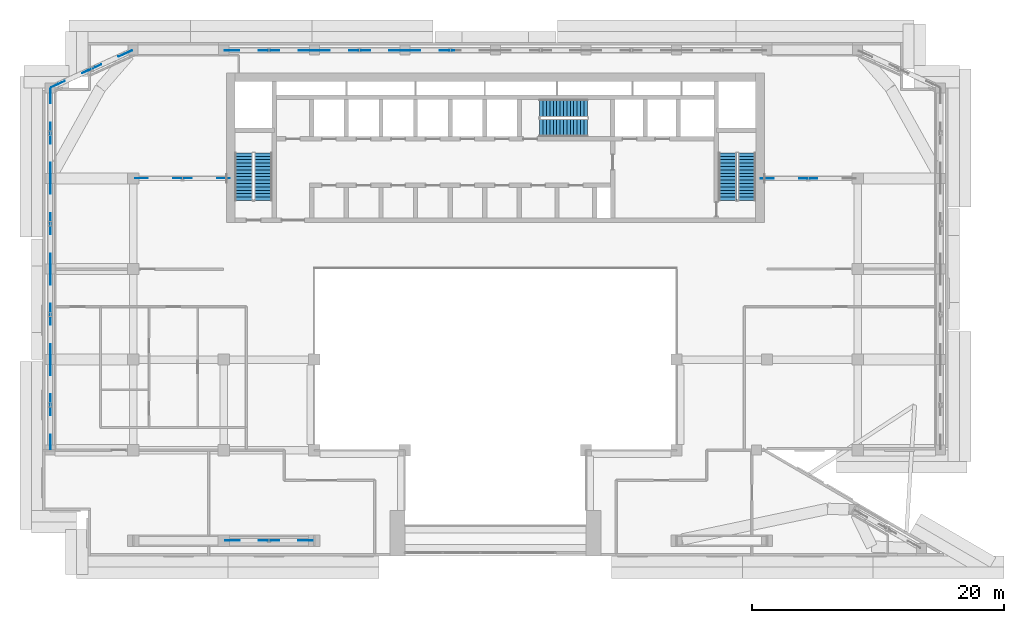
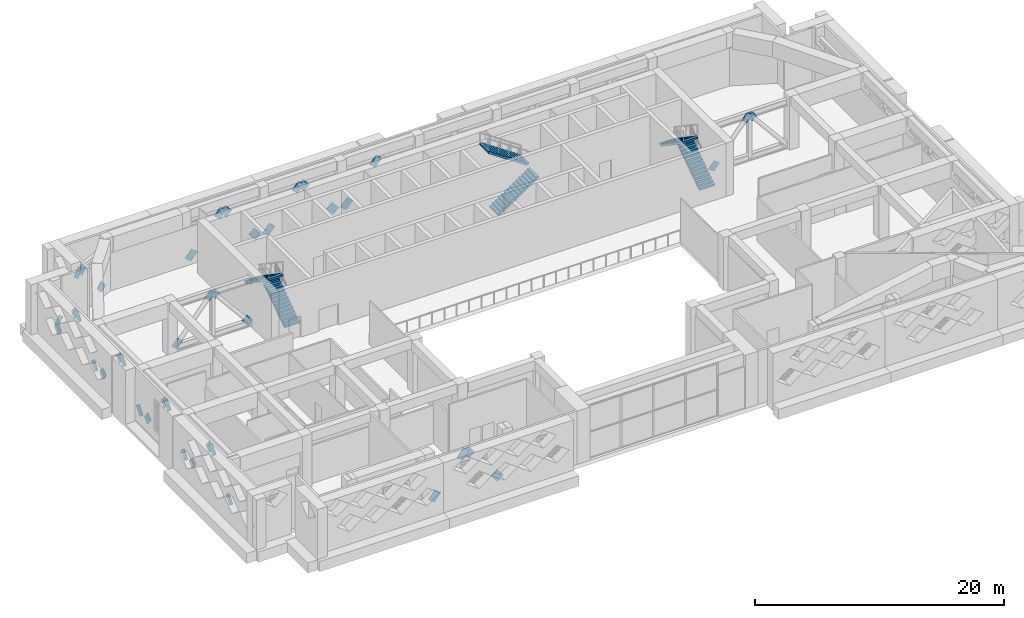
# One storey, part 11 of 20: 41 discrete accessories, 6 stair flights, 3 elements without a shape of their own.
"""IFC4 building model written with IfcOpenShell, lengths in metres."""

from ifc_helpers import new_model, si_unit, direction, frame, origin, place, context, subcontext, project, spatial, polyline, outline, extrude, material, layer, layer_set, type_object, element, aggregate, save


model = new_model("IFC4")

# Units and contexts
model_context = context("Model", 3, precision=1e-05, world=origin(), true_north=direction((0.0, 1.0)))
body_context = subcontext(model_context, "Body", "Model", "MODEL_VIEW")
ifc_project = project(units=[si_unit("LENGTHUNIT", "METRE"), si_unit("AREAUNIT", "SQUARE_METRE"), si_unit("VOLUMEUNIT", "CUBIC_METRE"), si_unit("PLANEANGLEUNIT", "RADIAN"), si_unit("MASSUNIT", "GRAM", prefix="KILO")], contexts=[model_context])

# Site, building, storey
site_placement = place(None, origin())
site = spatial("IfcSite", under=ifc_project, at=site_placement, CompositionType="ELEMENT")
building_placement = place(site_placement, origin())
building = spatial("IfcBuilding", under=site, at=building_placement, Name="Saffron Iwan Residences", CompositionType="ELEMENT")
storey_placement = place(building_placement, frame((0.0, 0.0, 206.0)))
storey = spatial("IfcBuildingStorey", under=building, at=storey_placement, Name="L55", CompositionType="ELEMENT", Elevation=206.0)

# Stair, stair flights
ifc_material = material(Name="Concrete C50/60", Category="concrete")
stair_type = type_object("IfcStairType", Name="Stair ST-CORE", PredefinedType="HALF_TURN_STAIR", material=ifc_material)
stair_1_placement = place(storey_placement, origin())
stair_1 = element("IfcStair", 1, at=stair_1_placement, inside=storey, type_object=stair_type, Name="L55 Exit Stair ST-W", PredefinedType="HALF_TURN_STAIR")
ifc_layer = layer(ifc_material, 0.14990234375)
ifc_layer_set = layer_set([ifc_layer], Name="Concrete C50/60")
stair_flight_type = type_object("IfcStairFlightType", Name="Stair flight SFL-RC", PredefinedType="STRAIGHT", material=ifc_layer_set)
stair_flight_1_placement = place(storey_placement, frame((31.949951171875, 67.85009765625, 0.0), z_axis=(0.0, 0.0, 1.0), x_axis=(0.0, 1.0, 0.0)))
stair_flight_1 = element("IfcStairFlight", 2, at=stair_flight_1_placement, type_object=stair_flight_type, Name="ST-W flight 1", NumberOfRisers=15, NumberOfTreads=14, PredefinedType="STRAIGHT", RiserHeight=0.183333333, TreadLength=0.27, context=body_context, shape_type="SweptSolid", body=[
    extrude(outline(polyline([(0.0, 0.0), (0.0, 0.183349609375), (0.27001953125, 0.183349609375), (0.27001953125, 0.36669921875), (0.5400390625, 0.36669921875), (0.5400390625, 0.550048828125), (0.81005859375, 0.550048828125), (0.81005859375, 0.7333984375), (1.080078125, 0.7333984375), (1.080078125, 0.916748046875), (1.35009765625, 0.916748046875), (1.35009765625, 1.10009765625), (1.6201171875, 1.10009765625), (1.6201171875, 1.283447265625), (1.889892578125, 1.283447265625), (1.889892578125, 1.466552734375), (2.159912109375, 1.466552734375), (2.159912109375, 1.64990234375), (2.429931640625, 1.64990234375), (2.429931640625, 1.833251953125), (2.699951171875, 1.833251953125), (2.699951171875, 2.0166015625), (2.969970703125, 2.0166015625), (2.969970703125, 2.199951171875), (3.239990234375, 2.199951171875), (3.239990234375, 2.38330078125), (3.510009765625, 2.38330078125), (3.510009765625, 2.566650390625), (3.780029296875, 2.566650390625), (3.780029296875, 2.75), (3.780029296875, 2.385498046875), (0.266845703125, 0.0), (0.0, 0.0)])), frame((0.0, 0.699951171875, 0.0), z_axis=(0.0, -1.0, 0.0), x_axis=(1.0, 0.0, 0.0)), (0.0, 0.0, 1.0), 1.39990234375),
])
stair_flight_2_placement = place(storey_placement, frame((30.39990234375, 71.6298828125, 2.75), z_axis=(0.0, 0.0, 1.0), x_axis=(0.0, -1.0, 0.0)))
stair_flight_2 = element("IfcStairFlight", 3, at=stair_flight_2_placement, type_object=stair_flight_type, Name="ST-W flight 2", NumberOfRisers=15, NumberOfTreads=14, PredefinedType="STRAIGHT", RiserHeight=0.183333333, TreadLength=0.27, context=body_context, shape_type="SweptSolid", body=[
    extrude(outline(polyline([(0.0, 0.0), (0.0, 0.183349609375), (0.27001953125, 0.183349609375), (0.27001953125, 0.36669921875), (0.5400390625, 0.36669921875), (0.5400390625, 0.550048828125), (0.81005859375, 0.550048828125), (0.81005859375, 0.7333984375), (1.080078125, 0.7333984375), (1.080078125, 0.916748046875), (1.35009765625, 0.916748046875), (1.35009765625, 1.10009765625), (1.6201171875, 1.10009765625), (1.6201171875, 1.283447265625), (1.889892578125, 1.283447265625), (1.889892578125, 1.466552734375), (2.159912109375, 1.466552734375), (2.159912109375, 1.64990234375), (2.429931640625, 1.64990234375), (2.429931640625, 1.833251953125), (2.699951171875, 1.833251953125), (2.699951171875, 2.0166015625), (2.969970703125, 2.0166015625), (2.969970703125, 2.199951171875), (3.239990234375, 2.199951171875), (3.239990234375, 2.38330078125), (3.510009765625, 2.38330078125), (3.510009765625, 2.566650390625), (3.780029296875, 2.566650390625), (3.780029296875, 2.75), (3.780029296875, 2.385498046875), (0.266845703125, 0.0), (0.0, 0.0)])), frame((0.0, 0.699951171875, 0.0), z_axis=(0.0, -1.0, 0.0), x_axis=(1.0, 0.0, 0.0)), (0.0, 0.0, 1.0), 1.39990234375),
])
aggregate(stair_1, [stair_flight_1, stair_flight_2])

stair_2_placement = place(storey_placement, origin())
stair_2 = element("IfcStair", 4, at=stair_2_placement, inside=storey, type_object=stair_type, Name="L55 Exit Stair ST-C", PredefinedType="HALF_TURN_STAIR")
stair_flight_3_placement = place(storey_placement, frame((53.925048828125, 73.625, 0.0), z_axis=(0.0, 0.0, 1.0), x_axis=(1.0, 0.0, 0.0)))
stair_flight_3 = element("IfcStairFlight", 5, at=stair_flight_3_placement, type_object=stair_flight_type, Name="ST-C flight 1", NumberOfRisers=15, NumberOfTreads=14, PredefinedType="STRAIGHT", RiserHeight=0.183333333, TreadLength=0.27, context=body_context, shape_type="SweptSolid", body=[
    extrude(outline(polyline([(0.0, 0.0), (0.0, 0.183349609375), (0.27001953125, 0.183349609375), (0.27001953125, 0.36669921875), (0.5400390625, 0.36669921875), (0.5400390625, 0.550048828125), (0.81005859375, 0.550048828125), (0.81005859375, 0.7333984375), (1.080078125, 0.7333984375), (1.080078125, 0.916748046875), (1.35009765625, 0.916748046875), (1.35009765625, 1.10009765625), (1.6201171875, 1.10009765625), (1.6201171875, 1.283447265625), (1.889892578125, 1.283447265625), (1.889892578125, 1.466552734375), (2.159912109375, 1.466552734375), (2.159912109375, 1.64990234375), (2.429931640625, 1.64990234375), (2.429931640625, 1.833251953125), (2.699951171875, 1.833251953125), (2.699951171875, 2.0166015625), (2.969970703125, 2.0166015625), (2.969970703125, 2.199951171875), (3.239990234375, 2.199951171875), (3.239990234375, 2.38330078125), (3.510009765625, 2.38330078125), (3.510009765625, 2.566650390625), (3.780029296875, 2.566650390625), (3.780029296875, 2.75), (3.780029296875, 2.385498046875), (0.266845703125, 0.0), (0.0, 0.0)])), frame((0.0, 0.699951171875, 0.0), z_axis=(0.0, -1.0, 0.0), x_axis=(1.0, 0.0, 0.0)), (0.0, 0.0, 1.0), 1.39990234375),
])
stair_flight_4_placement = place(storey_placement, frame((57.705078125, 75.175048828125, 2.75), z_axis=(0.0, 0.0, 1.0), x_axis=(-1.0, 0.0, 0.0)))
stair_flight_4 = element("IfcStairFlight", 6, at=stair_flight_4_placement, type_object=stair_flight_type, Name="ST-C flight 2", NumberOfRisers=15, NumberOfTreads=14, PredefinedType="STRAIGHT", RiserHeight=0.183333333, TreadLength=0.27, context=body_context, shape_type="SweptSolid", body=[
    extrude(outline(polyline([(0.0, 0.0), (0.0, 0.183349609375), (0.27001953125, 0.183349609375), (0.27001953125, 0.36669921875), (0.5400390625, 0.36669921875), (0.5400390625, 0.550048828125), (0.81005859375, 0.550048828125), (0.81005859375, 0.7333984375), (1.080078125, 0.7333984375), (1.080078125, 0.916748046875), (1.35009765625, 0.916748046875), (1.35009765625, 1.10009765625), (1.6201171875, 1.10009765625), (1.6201171875, 1.283447265625), (1.889892578125, 1.283447265625), (1.889892578125, 1.466552734375), (2.159912109375, 1.466552734375), (2.159912109375, 1.64990234375), (2.429931640625, 1.64990234375), (2.429931640625, 1.833251953125), (2.699951171875, 1.833251953125), (2.699951171875, 2.0166015625), (2.969970703125, 2.0166015625), (2.969970703125, 2.199951171875), (3.239990234375, 2.199951171875), (3.239990234375, 2.38330078125), (3.510009765625, 2.38330078125), (3.510009765625, 2.566650390625), (3.780029296875, 2.566650390625), (3.780029296875, 2.75), (3.780029296875, 2.385498046875), (0.266845703125, 0.0), (0.0, 0.0)])), frame((0.0, 0.699951171875, 0.0), z_axis=(0.0, -1.0, 0.0), x_axis=(1.0, 0.0, 0.0)), (0.0, 0.0, 1.0), 1.39990234375),
])
aggregate(stair_2, [stair_flight_3, stair_flight_4])

stair_3_placement = place(storey_placement, origin())
stair_3 = element("IfcStair", 7, at=stair_3_placement, inside=storey, type_object=stair_type, Name="L55 Exit Stair ST-E", PredefinedType="HALF_TURN_STAIR")
stair_flight_5_placement = place(storey_placement, frame((70.39990234375, 67.85009765625, 0.0), z_axis=(0.0, 0.0, 1.0), x_axis=(0.0, 1.0, 0.0)))
stair_flight_5 = element("IfcStairFlight", 8, at=stair_flight_5_placement, type_object=stair_flight_type, Name="ST-E flight 1", NumberOfRisers=15, NumberOfTreads=14, PredefinedType="STRAIGHT", RiserHeight=0.183333333, TreadLength=0.27, context=body_context, shape_type="SweptSolid", body=[
    extrude(outline(polyline([(0.0, 0.0), (0.0, 0.183349609375), (0.27001953125, 0.183349609375), (0.27001953125, 0.36669921875), (0.5400390625, 0.36669921875), (0.5400390625, 0.550048828125), (0.81005859375, 0.550048828125), (0.81005859375, 0.7333984375), (1.080078125, 0.7333984375), (1.080078125, 0.916748046875), (1.35009765625, 0.916748046875), (1.35009765625, 1.10009765625), (1.6201171875, 1.10009765625), (1.6201171875, 1.283447265625), (1.889892578125, 1.283447265625), (1.889892578125, 1.466552734375), (2.159912109375, 1.466552734375), (2.159912109375, 1.64990234375), (2.429931640625, 1.64990234375), (2.429931640625, 1.833251953125), (2.699951171875, 1.833251953125), (2.699951171875, 2.0166015625), (2.969970703125, 2.0166015625), (2.969970703125, 2.199951171875), (3.239990234375, 2.199951171875), (3.239990234375, 2.38330078125), (3.510009765625, 2.38330078125), (3.510009765625, 2.566650390625), (3.780029296875, 2.566650390625), (3.780029296875, 2.75), (3.780029296875, 2.385498046875), (0.266845703125, 0.0), (0.0, 0.0)])), frame((0.0, 0.699951171875, 0.0), z_axis=(0.0, -1.0, 0.0), x_axis=(1.0, 0.0, 0.0)), (0.0, 0.0, 1.0), 1.39990234375),
])
stair_flight_6_placement = place(storey_placement, frame((68.85009765625, 71.6298828125, 2.75), z_axis=(0.0, 0.0, 1.0), x_axis=(0.0, -1.0, 0.0)))
stair_flight_6 = element("IfcStairFlight", 9, at=stair_flight_6_placement, type_object=stair_flight_type, Name="ST-E flight 2", NumberOfRisers=15, NumberOfTreads=14, PredefinedType="STRAIGHT", RiserHeight=0.183333333, TreadLength=0.27, context=body_context, shape_type="SweptSolid", body=[
    extrude(outline(polyline([(0.0, 0.0), (0.0, 0.183349609375), (0.27001953125, 0.183349609375), (0.27001953125, 0.36669921875), (0.5400390625, 0.36669921875), (0.5400390625, 0.550048828125), (0.81005859375, 0.550048828125), (0.81005859375, 0.7333984375), (1.080078125, 0.7333984375), (1.080078125, 0.916748046875), (1.35009765625, 0.916748046875), (1.35009765625, 1.10009765625), (1.6201171875, 1.10009765625), (1.6201171875, 1.283447265625), (1.889892578125, 1.283447265625), (1.889892578125, 1.466552734375), (2.159912109375, 1.466552734375), (2.159912109375, 1.64990234375), (2.429931640625, 1.64990234375), (2.429931640625, 1.833251953125), (2.699951171875, 1.833251953125), (2.699951171875, 2.0166015625), (2.969970703125, 2.0166015625), (2.969970703125, 2.199951171875), (3.239990234375, 2.199951171875), (3.239990234375, 2.38330078125), (3.510009765625, 2.38330078125), (3.510009765625, 2.566650390625), (3.780029296875, 2.566650390625), (3.780029296875, 2.75), (3.780029296875, 2.385498046875), (0.266845703125, 0.0), (0.0, 0.0)])), frame((0.0, 0.699951171875, 0.0), z_axis=(0.0, -1.0, 0.0), x_axis=(1.0, 0.0, 0.0)), (0.0, 0.0, 1.0), 1.39990234375),
])
aggregate(stair_3, [stair_flight_5, stair_flight_6])

# Discrete accessories
discrete_accessory_1_placement = place(storey_placement, frame((15.0, 48.06298828125, 0.420654296875), z_axis=(-1.0, 0.0, 0.0), x_axis=(0.0, 0.644527288822, 0.764581306313)))
element("IfcDiscreteAccessory", 10, at=discrete_accessory_1_placement, inside=storey, Name="Gusset plate L55", PredefinedType="BRACKET", context=body_context, shape_type="SweptSolid", body=[
    extrude(outline(polyline([(0.0, 0.0), (0.9598543839484248, -5.551115123125783e-17), (0.9600263942749794, 0.7199054429927506), (-0.0001720103265546169, 0.7198761329298864), (0.0, 0.0)])), origin(), (0.0, 0.0, -1.0), 0.030029296875),
])
discrete_accessory_2_placement = place(storey_placement, frame((15.0, 51.93701171875, 3.8994140625), z_axis=(-1.0, 0.0, 0.0), x_axis=(0.0, -0.644401961653, -0.764686937131)))
element("IfcDiscreteAccessory", 11, at=discrete_accessory_2_placement, inside=storey, Name="Gusset plate L55", PredefinedType="BRACKET", context=body_context, shape_type="SweptSolid", body=[
    extrude(outline(polyline([(0.0, 0.0), (0.960041062202052, 5.551115123125783e-17), (0.9599083854542545, 0.7200627862136834), (-0.0001033102987061385, 0.7197187703692539), (0.0, 0.0)])), origin(), (0.0, 0.0, -1.0), 0.030029296875),
])
discrete_accessory_3_placement = place(storey_placement, frame((15.0, 51.8134765625, 4.36328125), z_axis=(-1.0, 0.0, 0.0), x_axis=(0.0, 0.644527288822, -0.764581306313)))
element("IfcDiscreteAccessory", 12, at=discrete_accessory_3_placement, inside=storey, Name="Gusset plate L55", PredefinedType="BRACKET", context=body_context, shape_type="SweptSolid", body=[
    extrude(outline(polyline([(0.0, 0.0), (0.9598543839484248, 5.551115123125783e-17), (0.9598690389798568, 0.7200627982878732), (-0.0001720103265546169, 0.7199054429927506), (0.0, 0.0)])), origin(), (0.0, 0.0, -1.0), 0.030029296875),
])
discrete_accessory_4_placement = place(storey_placement, frame((15.0, 54.586669921875, -0.04345703125), z_axis=(-1.0, 0.0, 0.0), x_axis=(0.0, -0.644401961653, 0.764686937131)))
element("IfcDiscreteAccessory", 13, at=discrete_accessory_4_placement, inside=storey, Name="Gusset plate L55", PredefinedType="BRACKET", context=body_context, shape_type="SweptSolid", body=[
    extrude(outline(polyline([(0.0, 0.0), (0.960041062202052, -5.551115123125783e-17), (0.9601443725007581, 0.7197187703692538), (0.00013267674779748884, 0.7200627862136835), (0.0, 0.0)])), origin(), (0.0, 0.0, -1.0), 0.030029296875),
])
discrete_accessory_5_placement = place(storey_placement, frame((15.0, 55.262939453125, 0.420654296875), z_axis=(-1.0, 0.0, 0.0), x_axis=(0.0, 0.644527288822, 0.764581306313)))
element("IfcDiscreteAccessory", 14, at=discrete_accessory_5_placement, inside=storey, Name="Gusset plate L55", PredefinedType="BRACKET", context=body_context, shape_type="SweptSolid", body=[
    extrude(outline(polyline([(0.0, 0.0), (0.9598543839484248, -5.551115123125783e-17), (0.9600263942749794, 0.7199054429927506), (-1.4655031432053711e-05, 0.7200627982878731), (0.0, 0.0)])), origin(), (0.0, 0.0, -1.0), 0.030029296875),
])
discrete_accessory_6_placement = place(storey_placement, frame((15.0, 59.13720703125, 3.8994140625), z_axis=(-1.0, 0.0, 0.0), x_axis=(0.0, -0.644550627371, -0.764561631757)))
element("IfcDiscreteAccessory", 15, at=discrete_accessory_6_placement, inside=storey, Name="Gusset plate L55", PredefinedType="BRACKET", context=body_context, shape_type="SweptSolid", body=[
    extrude(outline(polyline([(0.0, 0.0), (0.9601984050488788, 0.0), (0.9600483689462727, 0.7198761378451211), (0.000193985445032685, 0.7199054374067388), (0.0, 0.0)])), origin(), (0.0, 0.0, -1.0), 0.030029296875),
])
discrete_accessory_7_placement = place(storey_placement, frame((15.0, 59.013427734375, 4.36328125), z_axis=(-1.0, 0.0, 0.0), x_axis=(0.0, 0.644527288822, -0.764581306313)))
element("IfcDiscreteAccessory", 16, at=discrete_accessory_7_placement, inside=storey, Name="Gusset plate L55", PredefinedType="BRACKET", context=body_context, shape_type="SweptSolid", body=[
    extrude(outline(polyline([(0.0, 0.0), (0.9598543839484248, 5.551115123125783e-17), (0.9598690389798568, 0.7200627982878732), (-0.0001720103265546169, 0.7199054429927506), (0.0, 0.0)])), origin(), (0.0, 0.0, -1.0), 0.030029296875),
])
discrete_accessory_8_placement = place(storey_placement, frame((15.0, 61.78662109375, -0.04345703125), z_axis=(-1.0, 0.0, 0.0), x_axis=(0.0, -0.644401961653, 0.764686937131)))
element("IfcDiscreteAccessory", 17, at=discrete_accessory_8_placement, inside=storey, Name="Gusset plate L55", PredefinedType="BRACKET", context=body_context, shape_type="SweptSolid", body=[
    extrude(outline(polyline([(0.0, 0.0), (0.960041062202052, -5.551115123125783e-17), (0.9599870478030891, 0.7199054615160142), (0.00013267674779748884, 0.7200627862136835), (0.0, 0.0)])), origin(), (0.0, 0.0, -1.0), 0.030029296875),
])
discrete_accessory_9_placement = place(storey_placement, frame((15.0, 62.462890625, 0.420654296875), z_axis=(-1.0, 0.0, 0.0), x_axis=(0.0, 0.644527288822, 0.764581306313)))
element("IfcDiscreteAccessory", 18, at=discrete_accessory_9_placement, inside=storey, Name="Gusset plate L55", PredefinedType="BRACKET", context=body_context, shape_type="SweptSolid", body=[
    extrude(outline(polyline([(0.0, 0.0), (0.9598543839484248, -5.551115123125783e-17), (0.9600263942749794, 0.7199054429927506), (-1.4655031432053711e-05, 0.7200627982878731), (0.0, 0.0)])), origin(), (0.0, 0.0, -1.0), 0.030029296875),
])
discrete_accessory_10_placement = place(storey_placement, frame((15.0, 66.337158203125, 3.8994140625), z_axis=(-1.0, 0.0, 0.0), x_axis=(0.0, -0.644401961653, -0.764686937131)))
element("IfcDiscreteAccessory", 19, at=discrete_accessory_10_placement, inside=storey, Name="Gusset plate L55", PredefinedType="BRACKET", context=body_context, shape_type="SweptSolid", body=[
    extrude(outline(polyline([(0.0, 0.0), (0.960041062202052, 5.551115123125783e-17), (0.9599083854542545, 0.7200627862136834), (5.401439896290938e-05, 0.7199054615160143), (0.0, 0.0)])), origin(), (0.0, 0.0, -1.0), 0.030029296875),
])
discrete_accessory_11_placement = place(storey_placement, frame((15.0, 66.21337890625, 4.36328125), z_axis=(-1.0, 0.0, 0.0), x_axis=(0.0, 0.644527288822, -0.764581306313)))
element("IfcDiscreteAccessory", 20, at=discrete_accessory_11_placement, inside=storey, Name="Gusset plate L55", PredefinedType="BRACKET", context=body_context, shape_type="SweptSolid", body=[
    extrude(outline(polyline([(0.0, 0.0), (0.9598543839484248, 5.551115123125783e-17), (0.9598690389798568, 0.7200627982878732), (-0.0001720103265546169, 0.7199054429927506), (0.0, 0.0)])), origin(), (0.0, 0.0, -1.0), 0.030029296875),
])
discrete_accessory_12_placement = place(storey_placement, frame((15.0, 68.986572265625, -0.04345703125), z_axis=(-1.0, 0.0, 0.0), x_axis=(0.0, -0.644401961653, 0.764686937131)))
element("IfcDiscreteAccessory", 21, at=discrete_accessory_12_placement, inside=storey, Name="Gusset plate L55", PredefinedType="BRACKET", context=body_context, shape_type="SweptSolid", body=[
    extrude(outline(polyline([(0.0, 0.0), (0.960041062202052, -5.551115123125783e-17), (0.9599870478030891, 0.7199054615160142), (0.00013267674779748884, 0.7200627862136835), (0.0, 0.0)])), origin(), (0.0, 0.0, -1.0), 0.030029296875),
])
discrete_accessory_13_placement = place(storey_placement, frame((15.0, 69.662841796875, 0.420654296875), z_axis=(-1.0, 0.0, 0.0), x_axis=(0.0, 0.644527288822, 0.764581306313)))
element("IfcDiscreteAccessory", 22, at=discrete_accessory_13_placement, inside=storey, Name="Gusset plate L55", PredefinedType="BRACKET", context=body_context, shape_type="SweptSolid", body=[
    extrude(outline(polyline([(0.0, 0.0), (0.9598543839484248, -5.551115123125783e-17), (0.9600263942749794, 0.7199054429927506), (-1.4655031432053711e-05, 0.7200627982878731), (0.0, 0.0)])), origin(), (0.0, 0.0, -1.0), 0.030029296875),
])
discrete_accessory_14_placement = place(storey_placement, frame((15.0, 73.537109375, 3.8994140625), z_axis=(-1.0, 0.0, 0.0), x_axis=(0.0, -0.644401961653, -0.764686937131)))
element("IfcDiscreteAccessory", 23, at=discrete_accessory_14_placement, inside=storey, Name="Gusset plate L55", PredefinedType="BRACKET", context=body_context, shape_type="SweptSolid", body=[
    extrude(outline(polyline([(0.0, 0.0), (0.960041062202052, 5.551115123125783e-17), (0.9599083854542545, 0.7200627862136834), (5.401439896290938e-05, 0.7199054615160143), (0.0, 0.0)])), origin(), (0.0, 0.0, -1.0), 0.030029296875),
])
discrete_accessory_15_placement = place(storey_placement, frame((15.0, 73.413330078125, 4.36328125), z_axis=(-1.0, 0.0, 0.0), x_axis=(0.0, 0.644527288822, -0.764581306313)))
element("IfcDiscreteAccessory", 24, at=discrete_accessory_15_placement, inside=storey, Name="Gusset plate L55", PredefinedType="BRACKET", context=body_context, shape_type="SweptSolid", body=[
    extrude(outline(polyline([(0.0, 0.0), (0.9598543839484248, 5.551115123125783e-17), (0.9600263942749793, 0.7198761329298865), (-0.0001720103265546169, 0.7199054429927506), (0.0, 0.0)])), origin(), (0.0, 0.0, -1.0), 0.030029296875),
])
discrete_accessory_16_placement = place(storey_placement, frame((15.0, 76.1865234375, -0.04345703125), z_axis=(-1.0, 0.0, 0.0), x_axis=(0.0, -0.644401961653, 0.764686937131)))
element("IfcDiscreteAccessory", 25, at=discrete_accessory_16_placement, inside=storey, Name="Gusset plate L55", PredefinedType="BRACKET", context=body_context, shape_type="SweptSolid", body=[
    extrude(outline(polyline([(0.0, 0.0), (0.960041062202052, -5.551115123125783e-17), (0.9599870478030891, 0.7199054615160142), (0.00013267674779748884, 0.7200627862136835), (0.0, 0.0)])), origin(), (0.0, 0.0, -1.0), 0.030029296875),
])
for number, where, z_axis, x_axis, name in (
    (26, (15.0927734375, 76.842041015625, 0.419921875), (0.413815260912, -0.91036087876, 1.6123447e-05), (0.585193887051, 0.266020341528, 0.766016509255), "Gusset plate L55"),
    (27, (18.607177734375, 78.439697265625, 3.900146484375), (0.413815260912, -0.91036087876, 1.6123447e-05), (-0.585193887051, -0.266020341528, -0.766016509255), "Gusset plate L55"),
):
    element("IfcDiscreteAccessory", number, at=place(storey_placement, frame(where, z_axis=z_axis, x_axis=x_axis)), inside=storey, Name=name, PredefinedType="BRACKET", context=body_context, shape_type="SweptSolid", body=[
        extrude(outline(polyline([(0.0, 0.0), (0.9599682952195299, 0.0), (0.9599940626617518, -0.720123388197413), (2.5767442221824588e-05, -0.7201233881974131), (0.0, 0.0)])), origin(), (0.0, 0.0, -1.0), 0.030029296875),
    ])
for number, where, z_axis, x_axis, name in (
    (28, (18.494873046875, 78.388671875, 4.363037109375), (0.413737712905, -0.910396123061, 6.352282e-05), (0.585185566903, 0.265889395971, -0.766068326847), "Gusset plate L55"),
    (29, (21.005126953125, 79.529541015625, -0.04296875), (0.413737712905, -0.910396123061, 6.352282e-05), (-0.585185566903, -0.265889395971, 0.766068326847), "Gusset plate L55"),
):
    element("IfcDiscreteAccessory", number, at=place(storey_placement, frame(where, z_axis=z_axis, x_axis=x_axis)), inside=storey, Name=name, PredefinedType="BRACKET", context=body_context, shape_type="SweptSolid", body=[
        extrude(outline(polyline([(0.0, 0.0), (0.9599033712640395, 5.551115123125783e-17), (0.9601434411648202, -0.7198757322787612), (0.00017515549746760506, -0.7199531220566219), (0.0, 0.0)])), origin(), (0.0, 0.0, -1.0), 0.030029296875),
    ])
discrete_accessory_17_placement = place(storey_placement, frame((28.86279296875, 79.800048828125, 0.420654296875), z_axis=(0.0, 1.0, 0.0), x_axis=(0.644675942362, 0.0, 0.764455969523)))
element("IfcDiscreteAccessory", 30, at=discrete_accessory_17_placement, inside=storey, Name="Gusset plate L55", PredefinedType="BRACKET", context=body_context, shape_type="SweptSolid", body=[
    extrude(outline(polyline([(0.0, 0.0), (0.9600117573912188, 0.0), (0.9601663550452038, 0.7197187611799585), (0.00012535448329148435, 0.7200627875256336), (0.0, 0.0)])), origin(), (0.0, 0.0, -1.0), 0.030029296875),
])
discrete_accessory_18_placement = place(storey_placement, frame((32.737060546875, 79.800048828125, 3.8994140625), z_axis=(0.0, 1.0, 0.0), x_axis=(-0.644401961653, 0.0, -0.764686937131)))
element("IfcDiscreteAccessory", 31, at=discrete_accessory_18_placement, inside=storey, Name="Gusset plate L55", PredefinedType="BRACKET", context=body_context, shape_type="SweptSolid", body=[
    extrude(outline(polyline([(0.0, 0.0), (0.960041062202052, 5.551115123125783e-17), (0.9599083854542545, 0.7200627862136834), (5.401439896290938e-05, 0.7199054615160143), (0.0, 0.0)])), origin(), (0.0, 0.0, -1.0), 0.030029296875),
])
discrete_accessory_19_placement = place(storey_placement, frame((32.61328125, 79.800048828125, 4.36328125), z_axis=(0.0, 1.0, 0.0), x_axis=(0.644675942362, 0.0, -0.764455969523)))
element("IfcDiscreteAccessory", 32, at=discrete_accessory_19_placement, inside=storey, Name="Gusset plate L55", PredefinedType="BRACKET", context=body_context, shape_type="SweptSolid", body=[
    extrude(outline(polyline([(0.0, 0.0), (0.9600117573912188, 0.0), (0.9598864029079274, 0.7200627875256335), (-0.00015459765398501135, 0.7197187611799585), (0.0, 0.0)])), origin(), (0.0, 0.0, -1.0), 0.030029296875),
])
discrete_accessory_20_placement = place(storey_placement, frame((35.38671875, 79.800048828125, -0.04345703125), z_axis=(0.0, 1.0, 0.0), x_axis=(-0.644550627371, 0.0, 0.764561631757)))
element("IfcDiscreteAccessory", 33, at=discrete_accessory_20_placement, inside=storey, Name="Gusset plate L55", PredefinedType="BRACKET", context=body_context, shape_type="SweptSolid", body=[
    extrude(outline(polyline([(0.0, 0.0), (0.9601984050488788, 0.0), (0.960004419603846, 0.7199054374067388), (0.00015003610260611033, 0.7198761378451211), (0.0, 0.0)])), origin(), (0.0, 0.0, -1.0), 0.030029296875),
])
discrete_accessory_21_placement = place(storey_placement, frame((36.06298828125, 79.800048828125, 0.420654296875), z_axis=(0.0, 1.0, 0.0), x_axis=(0.644527288822, 0.0, 0.764581306313)))
element("IfcDiscreteAccessory", 34, at=discrete_accessory_21_placement, inside=storey, Name="Gusset plate L55", PredefinedType="BRACKET", context=body_context, shape_type="SweptSolid", body=[
    extrude(outline(polyline([(0.0, 0.0), (0.9598543839484248, -5.551115123125783e-17), (0.9600263942749794, 0.7199054429927506), (-0.0001720103265546169, 0.7198761329298864), (0.0, 0.0)])), origin(), (0.0, 0.0, -1.0), 0.030029296875),
])
discrete_accessory_22_placement = place(storey_placement, frame((39.93701171875, 79.800048828125, 3.8994140625), z_axis=(0.0, 1.0, 0.0), x_axis=(-0.644401961653, 0.0, -0.764686937131)))
element("IfcDiscreteAccessory", 35, at=discrete_accessory_22_placement, inside=storey, Name="Gusset plate L55", PredefinedType="BRACKET", context=body_context, shape_type="SweptSolid", body=[
    extrude(outline(polyline([(0.0, 0.0), (0.960041062202052, 5.551115123125783e-17), (0.9599083854542545, 0.7200627862136834), (-0.0001033102987061385, 0.7197187703692539), (0.0, 0.0)])), origin(), (0.0, 0.0, -1.0), 0.030029296875),
])
discrete_accessory_23_placement = place(storey_placement, frame((39.8134765625, 79.800048828125, 4.36328125), z_axis=(0.0, 1.0, 0.0), x_axis=(0.644527288822, 0.0, -0.764581306313)))
element("IfcDiscreteAccessory", 36, at=discrete_accessory_23_placement, inside=storey, Name="Gusset plate L55", PredefinedType="BRACKET", context=body_context, shape_type="SweptSolid", body=[
    extrude(outline(polyline([(0.0, 0.0), (0.9598543839484248, 5.551115123125783e-17), (0.9598690389798568, 0.7200627982878732), (-0.0001720103265546169, 0.7199054429927506), (0.0, 0.0)])), origin(), (0.0, 0.0, -1.0), 0.030029296875),
])
discrete_accessory_24_placement = place(storey_placement, frame((42.586669921875, 79.800048828125, -0.04345703125), z_axis=(0.0, 1.0, 0.0), x_axis=(-0.644401961653, 0.0, 0.764686937131)))
element("IfcDiscreteAccessory", 37, at=discrete_accessory_24_placement, inside=storey, Name="Gusset plate L55", PredefinedType="BRACKET", context=body_context, shape_type="SweptSolid", body=[
    extrude(outline(polyline([(0.0, 0.0), (0.960041062202052, -5.551115123125783e-17), (0.9601443725007581, 0.7197187703692538), (0.00013267674779748884, 0.7200627862136835), (0.0, 0.0)])), origin(), (0.0, 0.0, -1.0), 0.030029296875),
])
discrete_accessory_25_placement = place(storey_placement, frame((43.262939453125, 79.800048828125, 0.420654296875), z_axis=(0.0, 1.0, 0.0), x_axis=(0.644527288822, 0.0, 0.764581306313)))
element("IfcDiscreteAccessory", 38, at=discrete_accessory_25_placement, inside=storey, Name="Gusset plate L55", PredefinedType="BRACKET", context=body_context, shape_type="SweptSolid", body=[
    extrude(outline(polyline([(0.0, 0.0), (0.9598543839484248, -5.551115123125783e-17), (0.9600263942749794, 0.7199054429927506), (-1.4655031432053711e-05, 0.7200627982878731), (0.0, 0.0)])), origin(), (0.0, 0.0, -1.0), 0.030029296875),
])
discrete_accessory_26_placement = place(storey_placement, frame((47.13720703125, 79.800048828125, 3.8994140625), z_axis=(0.0, 1.0, 0.0), x_axis=(-0.644550627371, 0.0, -0.764561631757)))
element("IfcDiscreteAccessory", 39, at=discrete_accessory_26_placement, inside=storey, Name="Gusset plate L55", PredefinedType="BRACKET", context=body_context, shape_type="SweptSolid", body=[
    extrude(outline(polyline([(0.0, 0.0), (0.9601984050488788, 0.0), (0.9600483689462727, 0.7198761378451211), (0.000193985445032685, 0.7199054374067388), (0.0, 0.0)])), origin(), (0.0, 0.0, -1.0), 0.030029296875),
])
discrete_accessory_27_placement = place(storey_placement, frame((35.88818359375, 40.800048828125, 0.41796875), z_axis=(0.0, -1.0, 0.0), x_axis=(-0.638431438377, 0.0, 0.769678698219)))
element("IfcDiscreteAccessory", 40, at=discrete_accessory_27_placement, inside=storey, Name="Gusset plate L55", PredefinedType="BRACKET", context=body_context, shape_type="SweptSolid", body=[
    extrude(outline(polyline([(0.0, 0.0), (0.95984146756263, 0.0), (0.9598254461686064, 0.7200529891163812), (-0.00017188844440868545, 0.7198650792779488), (0.0, 0.0)])), origin(), (0.0, 0.0, -1.0), 0.030029296875),
])
discrete_accessory_28_placement = place(storey_placement, frame((32.061767578125, 40.800048828125, 3.902099609375), z_axis=(0.0, -1.0, 0.0), x_axis=(0.638457123327, 0.0, -0.769657392398)))
element("IfcDiscreteAccessory", 41, at=discrete_accessory_28_placement, inside=storey, Name="Gusset plate L55", PredefinedType="BRACKET", context=body_context, shape_type="SweptSolid", body=[
    extrude(outline(polyline([(0.0, 0.0), (0.9601852449861048, -5.551115123125783e-17), (0.9598494748570868, 0.7200209579344024), (-0.00014786549220202616, 0.7198650846132775), (0.0, 0.0)])), origin(), (0.0, 0.0, -1.0), 0.030029296875),
])
discrete_accessory_29_placement = place(storey_placement, frame((32.184326171875, 40.800048828125, 4.36181640625), z_axis=(0.0, -1.0, 0.0), x_axis=(-0.63858208302, 0.0, -0.769553716933)))
element("IfcDiscreteAccessory", 42, at=discrete_accessory_29_placement, inside=storey, Name="Gusset plate L55", PredefinedType="BRACKET", context=body_context, shape_type="SweptSolid", body=[
    extrude(outline(polyline([(0.0, 0.0), (0.9599973530037468, 5.551115123125783e-17), (0.9602162144122453, 0.7200210029617454), (3.098208307533712e-05, 0.719865099132883), (0.0, 0.0)])), origin(), (0.0, 0.0, -1.0), 0.030029296875),
])
discrete_accessory_30_placement = place(storey_placement, frame((29.4658203125, 40.800048828125, -0.041748046875), z_axis=(0.0, -1.0, 0.0), x_axis=(0.63858208302, 0.0, 0.769553716933)))
element("IfcDiscreteAccessory", 43, at=discrete_accessory_30_placement, inside=storey, Name="Gusset plate L55", PredefinedType="BRACKET", context=body_context, shape_type="SweptSolid", body=[
    extrude(outline(polyline([(0.0, 0.0), (0.9599973530037468, 5.551115123125783e-17), (0.9598724312579598, 0.7200529784583061), (-0.00012492174578698778, 0.7200529784583061), (0.0, 0.0)])), origin(), (0.0, 0.0, -1.0), 0.030029296875),
])
discrete_accessory_31_placement = place(storey_placement, frame((29.296142578125, 69.60009765625, 0.446044921875), z_axis=(0.0, -1.0, 0.0), x_axis=(-0.637407091071, 0.0, 0.770527222266)))
element("IfcDiscreteAccessory", 44, at=discrete_accessory_31_placement, inside=storey, Name="Gusset plate L55", PredefinedType="BRACKET", context=body_context, shape_type="SweptSolid", body=[
    extrude(outline(polyline([(0.0, 0.0), (0.8399661662463183, 0.0), (0.8398802327555142, 0.6299664996767312), (-8.593349080421309e-05, 0.6299664996767312), (0.0, 0.0)])), origin(), (0.0, 0.0, -1.0), 0.030029296875),
])
discrete_accessory_32_placement = place(storey_placement, frame((25.228759765625, 69.60009765625, 4.373779296875), z_axis=(0.0, -1.0, 0.0), x_axis=(0.637549864409, 0.0, -0.77040909288)))
element("IfcDiscreteAccessory", 45, at=discrete_accessory_32_placement, inside=storey, Name="Gusset plate L55", PredefinedType="BRACKET", context=body_context, shape_type="SweptSolid", body=[
    extrude(outline(polyline([(0.0, 0.0), (0.8397780636671712, -5.551115123125783e-17), (0.8398088675389938, 0.6299665047846904), (3.080387182247124e-05, 0.6299665047846904), (0.0, 0.0)])), origin(), (0.0, 0.0, -1.0), 0.030029296875),
])
discrete_accessory_33_placement = place(storey_placement, frame((25.335693359375, 69.60009765625, 4.775390625), z_axis=(0.0, -1.0, 0.0), x_axis=(-0.637549864409, 0.0, -0.77040909288)))
element("IfcDiscreteAccessory", 46, at=discrete_accessory_33_placement, inside=storey, Name="Gusset plate L55", PredefinedType="BRACKET", context=body_context, shape_type="SweptSolid", body=[
    extrude(outline(polyline([(0.0, 0.0), (0.8397780636671712, 5.551115123125783e-17), (0.8395916079729832, 0.6301545929421317), (-0.00018645569418807018, 0.6301545929421317), (0.0, 0.0)])), origin(), (0.0, 0.0, -1.0), 0.030029296875),
])
discrete_accessory_34_placement = place(storey_placement, frame((22.2392578125, 69.60009765625, 0.04443359375), z_axis=(0.0, -1.0, 0.0), x_axis=(0.637407091071, 0.0, 0.770527222266)))
element("IfcDiscreteAccessory", 47, at=discrete_accessory_34_placement, inside=storey, Name="Gusset plate L55", PredefinedType="BRACKET", context=body_context, shape_type="SweptSolid", body=[
    extrude(outline(polyline([(0.0, 0.0), (0.8399661662463183, 0.0), (0.8400520997371226, 0.6299664996767312), (8.593349080421309e-05, 0.6299664996767312), (0.0, 0.0)])), origin(), (0.0, 0.0, -1.0), 0.030029296875),
])
discrete_accessory_35_placement = place(storey_placement, frame((71.50390625, 69.60009765625, 0.446044921875), z_axis=(0.0, 1.0, 0.0), x_axis=(0.637407091071, 0.0, 0.770527222266)))
element("IfcDiscreteAccessory", 48, at=discrete_accessory_35_placement, inside=storey, Name="Gusset plate L55", PredefinedType="BRACKET", context=body_context, shape_type="SweptSolid", body=[
    extrude(outline(polyline([(0.0, 0.0), (0.8399661662463183, 0.0), (0.8398802327555142, 0.6299664996767312), (-8.593349080421309e-05, 0.6299664996767312), (0.0, 0.0)])), origin(), (0.0, 0.0, -1.0), 0.030029296875),
])
discrete_accessory_36_placement = place(storey_placement, frame((75.5712890625, 69.60009765625, 4.373779296875), z_axis=(0.0, 1.0, 0.0), x_axis=(-0.637549864409, 0.0, -0.77040909288)))
element("IfcDiscreteAccessory", 49, at=discrete_accessory_36_placement, inside=storey, Name="Gusset plate L55", PredefinedType="BRACKET", context=body_context, shape_type="SweptSolid", body=[
    extrude(outline(polyline([(0.0, 0.0), (0.8397780636671712, -5.551115123125783e-17), (0.8399645193613593, 0.6301545929421317), (0.00018645569418807018, 0.6301545929421317), (0.0, 0.0)])), origin(), (0.0, 0.0, -1.0), 0.030029296875),
])
discrete_accessory_37_placement = place(storey_placement, frame((75.464111328125, 69.60009765625, 4.775390625), z_axis=(0.0, 1.0, 0.0), x_axis=(0.637549864409, 0.0, -0.77040909288)))
element("IfcDiscreteAccessory", 50, at=discrete_accessory_37_placement, inside=storey, Name="Gusset plate L55", PredefinedType="BRACKET", context=body_context, shape_type="SweptSolid", body=[
    extrude(outline(polyline([(0.0, 0.0), (0.8397780636671712, 5.551115123125783e-17), (0.8397472597953487, 0.6299665047846905), (-3.080387182247124e-05, 0.6299665047846904), (0.0, 0.0)])), origin(), (0.0, 0.0, -1.0), 0.030029296875),
])

save(model, "model.ifc")
